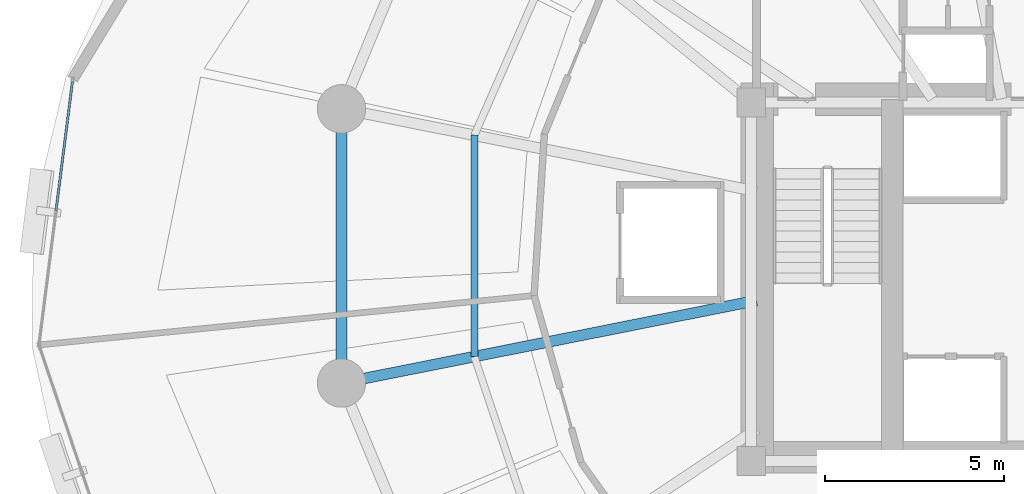
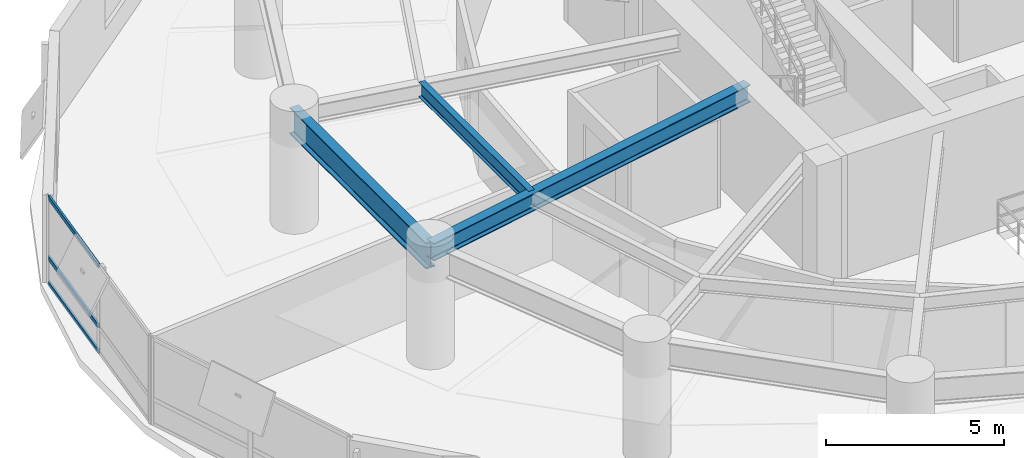
# One storey, part 5 of 17: 3 beams, 3 members, 1 element without a shape of its own.
"""IFC4 building model written with IfcOpenShell, lengths in metres."""

from ifc_helpers import new_model, si_unit, direction, frame, origin, origin_2d, place, context, subcontext, project, spatial, hollow_rectangle, i_section, extrude, material, layer, layer_set, material_profile, profile_set, type_object, element, aggregate, save


model = new_model("IFC4")

# Units and contexts
model_context = context("Model", 3, precision=1e-05, world=origin(), true_north=direction((0.0, 1.0)))
body_context = subcontext(model_context, "Body", "Model", "MODEL_VIEW")
ifc_project = project(units=[si_unit("LENGTHUNIT", "METRE"), si_unit("AREAUNIT", "SQUARE_METRE"), si_unit("VOLUMEUNIT", "CUBIC_METRE"), si_unit("PLANEANGLEUNIT", "RADIAN"), si_unit("MASSUNIT", "GRAM", prefix="KILO"), si_unit("THERMODYNAMICTEMPERATUREUNIT", "KELVIN"), si_unit("POWERUNIT", "WATT")], contexts=[model_context])

# Site, building, storey
site_placement = place(None, origin())
site = spatial("IfcSite", under=ifc_project, at=site_placement, CompositionType="ELEMENT")
building_placement = place(site_placement, origin())
building = spatial("IfcBuilding", under=site, at=building_placement, Name="Ocrelia Relay Tower", CompositionType="ELEMENT")
storey_placement = place(building_placement, frame((0.0, 0.0, 55.199951171875)))
storey = spatial("IfcBuildingStorey", under=building, at=storey_placement, Name="L12", CompositionType="ELEMENT", Elevation=55.199951171875)

# Beams
ifc_material_1 = material(Name="Steel S355", Category="steel")
ifc_material_profile_1 = material_profile(ifc_material_1, i_section(OverallWidth=0.300048828125, OverallDepth=0.60009765625, WebThickness=0.015380859375, FlangeThickness=0.030029296875, FilletRadius=0.027099609375, at=origin_2d()), Name="HEB 600")
ifc_profile_set_1 = profile_set([ifc_material_profile_1], Name="Steel S355")
beam_type_1 = type_object("IfcBeamType", Name="BM-HEB600", PredefinedType="BEAM", material=ifc_profile_set_1)
beam_1_placement = place(storey_placement, frame((14.776611328125, 22.17626953125, 3.6201171875), z_axis=(0.980786938484, 0.195081986098, 0.0), x_axis=(-0.195081986098, 0.980786938484, 0.0)))
element("IfcBeam", 1, at=beam_1_placement, inside=storey, type_object=beam_type_1, Name="L12 Radial Floor Girder R09", PredefinedType="BEAM", context=body_context, shape_type="SweptSolid", body=[
    extrude(i_section(OverallWidth=0.300048828125, OverallDepth=0.60009765625, WebThickness=0.015380859375, FlangeThickness=0.030029296875, FilletRadius=0.027099609375, at=origin_2d()), origin(), (0.0, 0.0, 1.0), 11.80517578125),
])
ifc_material_profile_2 = material_profile(ifc_material_1, i_section(OverallWidth=0.300048828125, OverallDepth=0.89990234375, WebThickness=0.0185546875, FlangeThickness=0.034912109375, FilletRadius=0.030029296875, at=origin_2d()), Name="HEB 900")
ifc_profile_set_2 = profile_set([ifc_material_profile_2], Name="Steel S355")
beam_type_2 = type_object("IfcBeamType", Name="BM-HEB900", PredefinedType="BEAM", material=ifc_profile_set_2)
beam_2_placement = place(storey_placement, frame((14.776611328125, 29.82373046875, 3.469970703125), z_axis=(0.0, -1.0, 0.0), x_axis=(1.0, 0.0, 0.0)))
element("IfcBeam", 2, at=beam_2_placement, inside=storey, type_object=beam_type_2, Name="L12 Perimeter Spandrel Beam S08", PredefinedType="BEAM", context=body_context, shape_type="SweptSolid", body=[
    extrude(i_section(OverallWidth=0.300048828125, OverallDepth=0.89990234375, WebThickness=0.0185546875, FlangeThickness=0.034912109375, FilletRadius=0.030029296875, at=origin_2d()), origin(), (0.0, 0.0, 1.0), 7.6474609375),
])
ifc_material_profile_3 = material_profile(ifc_material_1, i_section(OverallWidth=0.199951171875, OverallDepth=0.5, WebThickness=0.01025390625, FlangeThickness=0.01611328125, FilletRadius=0.02099609375, at=origin_2d()), Name="IPE 500")
ifc_profile_set_3 = profile_set([ifc_material_profile_3], Name="Steel S355")
beam_type_3 = type_object("IfcBeamType", Name="BM-IPE500", PredefinedType="JOIST", material=ifc_profile_set_3)
beam_3_placement = place(storey_placement, frame((18.481689453125, 29.0869140625, 3.670166015625), z_axis=(0.0, -1.0, 0.0), x_axis=(1.0, 0.0, 0.0)))
element("IfcBeam", 3, at=beam_3_placement, inside=storey, type_object=beam_type_3, Name="L12 Secondary Floor Joist J08", PredefinedType="JOIST", context=body_context, shape_type="SweptSolid", body=[
    extrude(i_section(OverallWidth=0.199951171875, OverallDepth=0.5, WebThickness=0.01025390625, FlangeThickness=0.01611328125, FilletRadius=0.02099609375, at=origin_2d()), origin(), (0.0, 0.0, 1.0), 6.173828125),
])

# Curtain wall, members
ifc_material_2 = material(Name="Aluminium and solar-control low-E glass", Category="aluminium")
ifc_layer = layer(ifc_material_2, 0.179931640625, Name="Aluminium and solar-control low-E glass")
ifc_layer_set = layer_set([ifc_layer], Name="Aluminium and solar-control low-E glass")
curtain_wall_type = type_object("IfcCurtainWallType", Name="CW-SYS-Z1-DATA", PredefinedType="NOTDEFINED", material=ifc_layer_set)
curtain_wall_placement = place(storey_placement, origin())
curtain_wall = element("IfcCurtainWall", 4, at=curtain_wall_placement, inside=storey, type_object=curtain_wall_type, Name="L12 Elliptical Tower Curtain Wall Bay 09", PredefinedType="NOTDEFINED")
ifc_material_3 = material(Name="Anodised bronze aluminium", Category="aluminium")
ifc_material_profile_4 = material_profile(ifc_material_3, hollow_rectangle(XDim=0.06494140625, YDim=0.139892578125, WallThickness=0.0048828125, at=origin_2d()), Name="CW-TRN-140x65")
ifc_profile_set_4 = profile_set([ifc_material_profile_4], Name="Anodised bronze aluminium")
member_type = type_object("IfcMemberType", Name="CW-SYS-Z1-DATA-TRN", PredefinedType="USERDEFINED", material=ifc_profile_set_4)
member_1_placement = place(storey_placement, frame((7.2734375, 30.5849609375, 0.032470703125), z_axis=(-0.126416611406, -0.991977237824, 0.0), x_axis=(0.991977237824, -0.126416611406, 0.0)))
member_1 = element("IfcMember", 5, at=member_1_placement, type_object=member_type, Name="CW-Z1 transom 1.1", ObjectType="TRANSOM", PredefinedType="USERDEFINED", context=body_context, shape_type="SweptSolid", body=[
    extrude(hollow_rectangle(XDim=0.06494140625, YDim=0.139892578125, WallThickness=0.0048828125, at=origin_2d()), origin(), (0.0, 0.0, 1.0), 3.632568359375),
])
member_2_placement = place(storey_placement, frame((7.2734375, 30.5849609375, 0.900146484375), z_axis=(-0.126416611406, -0.991977237824, 0.0), x_axis=(0.991977237824, -0.126416611406, 0.0)))
member_2 = element("IfcMember", 6, at=member_2_placement, type_object=member_type, Name="CW-Z1 transom 1.2", ObjectType="TRANSOM", PredefinedType="USERDEFINED", context=body_context, shape_type="SweptSolid", body=[
    extrude(hollow_rectangle(XDim=0.06494140625, YDim=0.139892578125, WallThickness=0.0048828125, at=origin_2d()), origin(), (0.0, 0.0, 1.0), 3.632568359375),
])
member_3_placement = place(storey_placement, frame((7.2734375, 30.5849609375, 2.967529296875), z_axis=(-0.126416611406, -0.991977237824, 0.0), x_axis=(0.991977237824, -0.126416611406, 0.0)))
member_3 = element("IfcMember", 7, at=member_3_placement, type_object=member_type, Name="CW-Z1 transom 1.3", ObjectType="TRANSOM", PredefinedType="USERDEFINED", context=body_context, shape_type="SweptSolid", body=[
    extrude(hollow_rectangle(XDim=0.06494140625, YDim=0.139892578125, WallThickness=0.0048828125, at=origin_2d()), origin(), (0.0, 0.0, 1.0), 3.632568359375),
])
aggregate(curtain_wall, [member_1, member_2, member_3])

save(model, "model.ifc")
